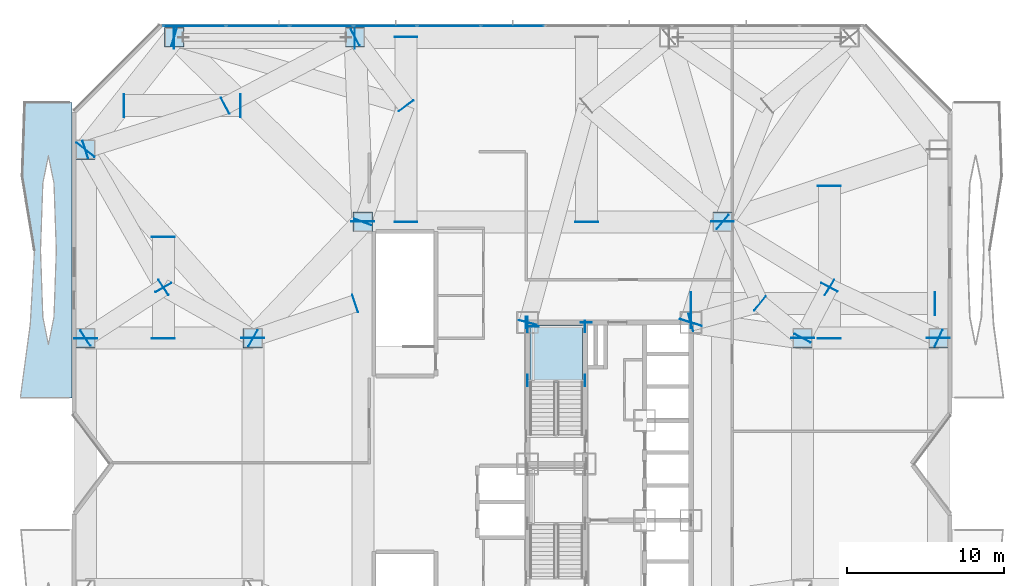
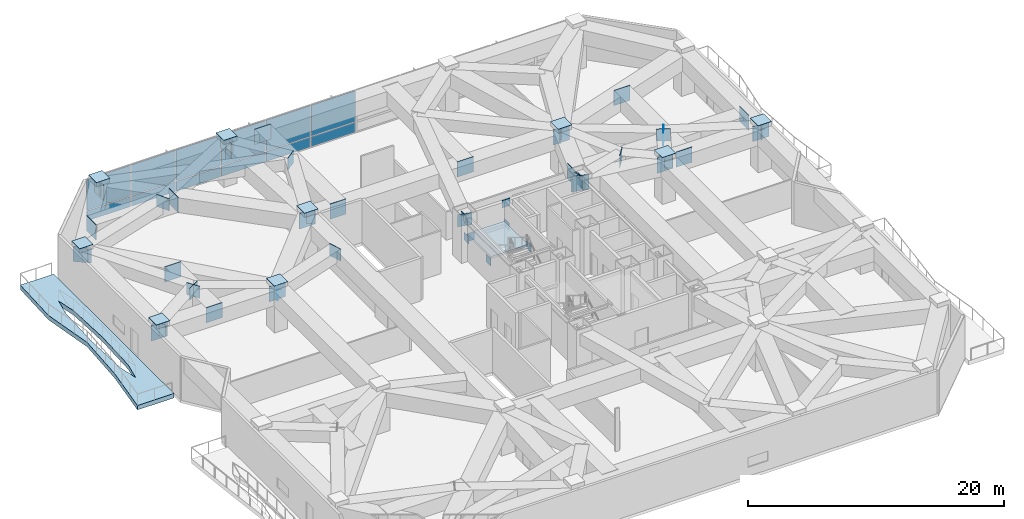
# One storey, part 16 of 27: 72 plates, 2 slabs, 2 elements without a shape of their own.
"""IFC4 building model written with IfcOpenShell, lengths in metres."""

import ifcopenshell
import ifcopenshell.guid

model = None  # the IFC model being written
_history = None  # IfcOwnerHistory: only IFC2X3 demands one
_inside = {}  # id of a spatial element -> (the spatial element, [elements in it])
_under = {}  # id of a project, library or spatial element -> (it, [spatial elements below it])
_declared = {}  # id of a project -> (the project, [libraries it declares])
_typed = {}  # id of a type object -> (the type object, [elements of that type])
_made_of = {}  # id of a material, layer set ... -> (it, [elements and type objects made of it])


def new_model(schema):
    """Start an empty IFC model of exactly this schema.

    Asked for "IFC4X3", IfcOpenShell would pick the latest addendum, in which some entities
    have other attributes; the version numbers below select the first issue.
    IFC2X3 requires an IfcOwnerHistory on every rooted entity: one is made here for all.
    """
    global model, _history
    if schema == "IFC4X3":
        model = ifcopenshell.file(schema_version=(4, 3, 0, 0))
    else:
        model = ifcopenshell.file(schema=schema)
    _inside.clear()
    _under.clear()
    _declared.clear()
    _typed.clear()
    _made_of.clear()
    _history = None
    if model.schema == "IFC2X3":
        org = make("IfcOrganization", Name="unknown")
        user = make(
            "IfcPersonAndOrganization",
            ThePerson=make("IfcPerson", FamilyName="unknown"),
            TheOrganization=org,
        )
        app = make(
            "IfcApplication",
            ApplicationDeveloper=org,
            Version="unknown",
            ApplicationFullName="unknown",
            ApplicationIdentifier="unknown",
        )
        _history = make(
            "IfcOwnerHistory",
            OwningUser=user,
            OwningApplication=app,
            ChangeAction="ADDED",
            CreationDate=0,
        )
    return model


def make(cls, **values):
    """One entity of the class cls with the attributes given. An attribute that is None is left unset."""
    return model.create_entity(
        cls, **{name: value for name, value in values.items() if value is not None}
    )


def rooted(cls, **values):
    """An entity with a GlobalId (a new one), such as an element, a storey or a relation."""
    return make(cls, GlobalId=ifcopenshell.guid.new(), OwnerHistory=_history, **values)


def si_unit(unit_type, name, prefix=None):
    """IfcSIUnit, for example si_unit("LENGTHUNIT", "METRE", prefix="MILLI")."""
    return make("IfcSIUnit", UnitType=unit_type, Prefix=prefix, Name=name)


def assignment(units):
    """IfcUnitAssignment: the units of a project."""
    return None if units is None else make("IfcUnitAssignment", Units=units)


def point(xyz):
    """IfcCartesianPoint."""
    return None if xyz is None else make("IfcCartesianPoint", Coordinates=xyz)


def direction(xyz):
    """IfcDirection."""
    return None if xyz is None else make("IfcDirection", DirectionRatios=xyz)


def frame(location, z_axis=None, x_axis=None):
    """IfcAxis2Placement3D, a coordinate frame: its origin and axes. An axis left out is left unset."""
    return make(
        "IfcAxis2Placement3D",
        Location=point(location),
        Axis=direction(z_axis),
        RefDirection=direction(x_axis),
    )


def frame_2d(location, x_axis=None):
    """IfcAxis2Placement2D, a coordinate frame in the plane: its origin and x axis."""
    return make(
        "IfcAxis2Placement2D", Location=point(location), RefDirection=direction(x_axis)
    )


def origin():
    """The frame at (0, 0, 0) with its axes left unset."""
    return frame((0.0, 0.0, 0.0))


def origin_2d():
    """The frame at (0, 0) in the plane with its x axis left unset."""
    return frame_2d((0.0, 0.0))


def place(relative_to, where):
    """IfcLocalPlacement: puts the frame where relative to a parent placement (None: the world)."""
    return make(
        "IfcLocalPlacement", PlacementRelTo=relative_to, RelativePlacement=where
    )


def context(
    kind, dimensions, precision=None, world=None, true_north=None, identifier=None
):
    """IfcGeometricRepresentationContext, for example the 3D "Model" context."""
    return make(
        "IfcGeometricRepresentationContext",
        ContextIdentifier=identifier,
        ContextType=kind,
        CoordinateSpaceDimension=dimensions,
        Precision=precision,
        WorldCoordinateSystem=world,
        TrueNorth=true_north,
    )


def subcontext(parent, identifier, kind, view, scale=None):
    """IfcGeometricRepresentationSubContext, for example "Body" below "Model"."""
    return make(
        "IfcGeometricRepresentationSubContext",
        ContextIdentifier=identifier,
        ContextType=kind,
        ParentContext=parent,
        TargetScale=scale,
        TargetView=view,
    )


def project(units=None, contexts=None):
    """IfcProject with its units and contexts."""
    return rooted(
        "IfcProject",
        Name="project",
        RepresentationContexts=contexts,
        UnitsInContext=assignment(units),
    )


def spatial(cls, under=None, at=None, **own):
    """A site, building, storey or space (cls), placed at a placement, below another one or the project."""
    s = rooted(cls, ObjectPlacement=at, **own)
    if under is not None:
        _under.setdefault(under.id(), (under, []))[1].append(s)
    return s


def polyline(points):
    """IfcPolyline through the points."""
    return make("IfcPolyline", Points=[point(p) for p in points])


def profile(cls, at=None, kind="AREA", **sizes):
    """A parametric profile (cls). Its sizes go by their IFC names, for example OverallWidth=200.0."""
    return make(cls, ProfileType=kind, Position=at, **sizes)


def rectangle(**sizes):
    """IfcRectangleProfileDef."""
    return profile("IfcRectangleProfileDef", **sizes)


def outline(outer, holes=None, kind="AREA"):
    """IfcArbitraryClosedProfileDef: a profile drawn as a closed curve; with holes, ...WithVoids."""
    if holes is None:
        return make("IfcArbitraryClosedProfileDef", ProfileType=kind, OuterCurve=outer)
    return make(
        "IfcArbitraryProfileDefWithVoids",
        ProfileType=kind,
        OuterCurve=outer,
        InnerCurves=holes,
    )


def extrude(swept, where, along, depth):
    """IfcExtrudedAreaSolid: the profile swept, set in the frame where, extruded along a direction by depth."""
    return make(
        "IfcExtrudedAreaSolid",
        SweptArea=swept,
        Position=where,
        ExtrudedDirection=direction(along),
        Depth=depth,
    )


def shape(context_of_items, identifier, shape_type, items):
    """IfcShapeRepresentation: the items that make up one representation, for example the "Body"."""
    return make(
        "IfcShapeRepresentation",
        ContextOfItems=context_of_items,
        RepresentationIdentifier=identifier,
        RepresentationType=shape_type,
        Items=items,
    )


def material(Name=None, Category=None):
    """IfcMaterial."""
    return make("IfcMaterial", Name=Name, Category=Category)


def layer(
    of_material, thickness, ventilated=None, Name=None, Category=None, Priority=None
):
    """IfcMaterialLayer: one layer of a wall or slab, of a material (None: an air gap)."""
    return make(
        "IfcMaterialLayer",
        Material=of_material,
        LayerThickness=thickness,
        IsVentilated=ventilated,
        Name=Name,
        Category=Category,
        Priority=Priority,
    )


def layer_set(layers, Name=None):
    """IfcMaterialLayerSet."""
    return make("IfcMaterialLayerSet", MaterialLayers=layers, LayerSetName=Name)


def made_of(thing, what):
    """Note that an element or type object is made of a material, layer set ...; save() writes the relation."""
    if what is not None:
        _made_of.setdefault(what.id(), (what, []))[1].append(thing)
    return thing


def type_object(cls, material=None, **own):
    """A type object (cls), such as IfcWallType, which elements share."""
    return made_of(rooted(cls, **own), material)


def element(
    cls,
    number,
    at=None,
    inside=None,
    cuts=None,
    type_object=None,
    material=None,
    context=None,
    identifier="Body",
    shape_type=None,
    held_by="IfcProductDefinitionShape",
    body=None,
    shapes=None,
    **own,
):
    """One element of the class cls, such as IfcWall. Its Tag is "e" and its number.

    at: its placement. inside: the storey or other place that contains it. cuts: it is an
    opening in that element (IfcRelVoidsElement). A single representation is given by context,
    identifier, shape_type and body (its items); several are given by shapes. held_by: the class
    of the entity that holds the representations. save() writes the other relations.
    """
    e = rooted(cls, Tag="e%d" % number, ObjectPlacement=at, **own)
    if body is not None:
        shapes = [shape(context, identifier, shape_type, body)]
    if shapes is not None:
        e.Representation = make(held_by, Representations=shapes)
    if inside is not None:
        _inside.setdefault(inside.id(), (inside, []))[1].append(e)
    if cuts is not None:
        rooted(
            "IfcRelVoidsElement", RelatingBuildingElement=cuts, RelatedOpeningElement=e
        )
    if type_object is not None:
        _typed.setdefault(type_object.id(), (type_object, []))[1].append(e)
    return made_of(e, material)


def aggregate(whole, parts):
    """IfcRelAggregates: a whole, such as a stair, and the parts it consists of."""
    return rooted("IfcRelAggregates", RelatingObject=whole, RelatedObjects=parts)


def save(model, path):
    """Write the relations noted so far, then the file.

    IfcRelAggregates (storeys below a building ...), IfcRelContainedInSpatialStructure (elements
    in a storey), IfcRelDefinesByType, IfcRelAssociatesMaterial and IfcRelDeclares: one each for
    every whole, place, type object, material and project.
    """
    for whole, parts in _under.values():
        aggregate(whole, parts)
    for where, things in _inside.values():
        rooted(
            "IfcRelContainedInSpatialStructure",
            RelatedElements=things,
            RelatingStructure=where,
        )
    for kind, things in _typed.values():
        rooted("IfcRelDefinesByType", RelatedObjects=things, RelatingType=kind)
    for what, things in _made_of.values():
        rooted("IfcRelAssociatesMaterial", RelatedObjects=things, RelatingMaterial=what)
    for by, libraries in _declared.values():
        rooted("IfcRelDeclares", RelatingContext=by, RelatedDefinitions=libraries)
    model.write(path)


model = new_model("IFC4")

# Units and contexts
model_context = context("Model", 3, precision=1e-05, world=origin(), true_north=direction((0.0, 1.0)))
body_context = subcontext(model_context, "Body", "Model", "MODEL_VIEW")
ifc_project = project(units=[si_unit("LENGTHUNIT", "METRE"), si_unit("AREAUNIT", "SQUARE_METRE"), si_unit("VOLUMEUNIT", "CUBIC_METRE"), si_unit("PLANEANGLEUNIT", "RADIAN"), si_unit("MASSUNIT", "GRAM", prefix="KILO")], contexts=[model_context])

# Site, building, storey
site_placement = place(None, origin())
site = spatial("IfcSite", under=ifc_project, at=site_placement, CompositionType="ELEMENT")
building_placement = place(site_placement, origin())
building = spatial("IfcBuilding", under=site, at=building_placement, Name="Khamvora Tower", CompositionType="ELEMENT")
storey_placement = place(building_placement, frame((0.0, 0.0, 28.800048828125)))
storey = spatial("IfcBuildingStorey", under=building, at=storey_placement, Name="L06", CompositionType="ELEMENT", Elevation=28.800048828125)

# Curtain wall, plates
ifc_material_1 = material(Name="Anodised Aluminium 6063-T6", Category="aluminium")
curtain_wall_type = type_object("IfcCurtainWallType", Name="CW-SYS-01", PredefinedType="NOTDEFINED", material=ifc_material_1)
curtain_wall_placement = place(storey_placement, origin())
curtain_wall = element("IfcCurtainWall", 1, at=curtain_wall_placement, inside=storey, type_object=curtain_wall_type, Name="L06 stick curtain wall 07.1", PredefinedType="NOTDEFINED")
ifc_material_2 = material(Name="Low-E Laminated Double Glazing", Category="glass")
ifc_layer_1 = layer(ifc_material_2, 0.035888671875)
ifc_layer_set_1 = layer_set([ifc_layer_1], Name="Low-E Laminated Double Glazing")
plate_type_1 = type_object("IfcPlateType", Name="CW-SYS-01-PNL", PredefinedType="CURTAIN_PANEL", material=ifc_layer_set_1)
plate_1_placement = place(storey_placement, frame((7.774169921875, 55.8798828125, 0.074951171875), z_axis=(0.0, 0.0, 1.0), x_axis=(1.0, 0.0, 0.0)))
plate_1 = element("IfcPlate", 2, at=plate_1_placement, type_object=plate_type_1, Name="CW-01 panel 1.1", PredefinedType="CURTAIN_PANEL", context=body_context, shape_type="SweptSolid", body=[
    extrude(rectangle(XDim=3.944091796875, YDim=0.035888671875, at=origin_2d()), origin(), (0.0, 0.0, 1.0), 0.9375),
])
plate_2_placement = place(storey_placement, frame((7.774169921875, 55.8798828125, 1.08740234375), z_axis=(0.0, 0.0, 1.0), x_axis=(1.0, 0.0, 0.0)))
plate_2 = element("IfcPlate", 3, at=plate_2_placement, type_object=plate_type_1, Name="CW-01 panel 1.2", PredefinedType="CURTAIN_PANEL", context=body_context, shape_type="SweptSolid", body=[
    extrude(rectangle(XDim=3.944091796875, YDim=0.035888671875, at=origin_2d()), origin(), (0.0, 0.0, 1.0), 2.91748046875),
])
plate_3_placement = place(storey_placement, frame((11.81201171875, 55.8798828125, 0.074951171875), z_axis=(0.0, 0.0, 1.0), x_axis=(1.0, 0.0, 0.0)))
plate_3 = element("IfcPlate", 4, at=plate_3_placement, type_object=plate_type_1, Name="CW-01 panel 2.1", PredefinedType="CURTAIN_PANEL", context=body_context, shape_type="SweptSolid", body=[
    extrude(rectangle(XDim=3.981689453125, YDim=0.035888671875, at=origin_2d()), origin(), (0.0, 0.0, 1.0), 0.9375),
])
plate_4_placement = place(storey_placement, frame((11.81201171875, 55.8798828125, 1.08740234375), z_axis=(0.0, 0.0, 1.0), x_axis=(1.0, 0.0, 0.0)))
plate_4 = element("IfcPlate", 5, at=plate_4_placement, type_object=plate_type_1, Name="CW-01 panel 2.2", PredefinedType="CURTAIN_PANEL", context=body_context, shape_type="SweptSolid", body=[
    extrude(rectangle(XDim=3.981689453125, YDim=0.035888671875, at=origin_2d()), origin(), (0.0, 0.0, 1.0), 2.91748046875),
])
plate_5_placement = place(storey_placement, frame((15.86865234375, 55.8798828125, 0.074951171875), z_axis=(0.0, 0.0, 1.0), x_axis=(1.0, 0.0, 0.0)))
plate_5 = element("IfcPlate", 6, at=plate_5_placement, type_object=plate_type_1, Name="CW-01 panel 3.1", PredefinedType="CURTAIN_PANEL", context=body_context, shape_type="SweptSolid", body=[
    extrude(rectangle(XDim=3.981689453125, YDim=0.035888671875, at=origin_2d()), origin(), (0.0, 0.0, 1.0), 0.9375),
])
plate_6_placement = place(storey_placement, frame((15.86865234375, 55.8798828125, 1.08740234375), z_axis=(0.0, 0.0, 1.0), x_axis=(1.0, 0.0, 0.0)))
plate_6 = element("IfcPlate", 7, at=plate_6_placement, type_object=plate_type_1, Name="CW-01 panel 3.2", PredefinedType="CURTAIN_PANEL", context=body_context, shape_type="SweptSolid", body=[
    extrude(rectangle(XDim=3.981689453125, YDim=0.035888671875, at=origin_2d()), origin(), (0.0, 0.0, 1.0), 2.91748046875),
])
plate_7_placement = place(storey_placement, frame((19.92529296875, 55.8798828125, 0.074951171875), z_axis=(0.0, 0.0, 1.0), x_axis=(1.0, 0.0, 0.0)))
plate_7 = element("IfcPlate", 8, at=plate_7_placement, type_object=plate_type_1, Name="CW-01 panel 4.1", PredefinedType="CURTAIN_PANEL", context=body_context, shape_type="SweptSolid", body=[
    extrude(rectangle(XDim=3.981689453125, YDim=0.035888671875, at=origin_2d()), origin(), (0.0, 0.0, 1.0), 0.9375),
])
plate_8_placement = place(storey_placement, frame((19.92529296875, 55.8798828125, 1.08740234375), z_axis=(0.0, 0.0, 1.0), x_axis=(1.0, 0.0, 0.0)))
plate_8 = element("IfcPlate", 9, at=plate_8_placement, type_object=plate_type_1, Name="CW-01 panel 4.2", PredefinedType="CURTAIN_PANEL", context=body_context, shape_type="SweptSolid", body=[
    extrude(rectangle(XDim=3.981689453125, YDim=0.035888671875, at=origin_2d()), origin(), (0.0, 0.0, 1.0), 2.91748046875),
])
plate_9_placement = place(storey_placement, frame((23.98193359375, 55.8798828125, 0.074951171875), z_axis=(0.0, 0.0, 1.0), x_axis=(1.0, 0.0, 0.0)))
plate_9 = element("IfcPlate", 10, at=plate_9_placement, type_object=plate_type_1, Name="CW-01 panel 5.1", PredefinedType="CURTAIN_PANEL", context=body_context, shape_type="SweptSolid", body=[
    extrude(rectangle(XDim=3.981689453125, YDim=0.035888671875, at=origin_2d()), origin(), (0.0, 0.0, 1.0), 0.9375),
])
plate_10_placement = place(storey_placement, frame((23.98193359375, 55.8798828125, 1.08740234375), z_axis=(0.0, 0.0, 1.0), x_axis=(1.0, 0.0, 0.0)))
plate_10 = element("IfcPlate", 11, at=plate_10_placement, type_object=plate_type_1, Name="CW-01 panel 5.2", PredefinedType="CURTAIN_PANEL", context=body_context, shape_type="SweptSolid", body=[
    extrude(rectangle(XDim=3.981689453125, YDim=0.035888671875, at=origin_2d()), origin(), (0.0, 0.0, 1.0), 2.91748046875),
])
plate_11_placement = place(storey_placement, frame((28.03857421875, 55.8798828125, 0.074951171875), z_axis=(0.0, 0.0, 1.0), x_axis=(1.0, 0.0, 0.0)))
plate_11 = element("IfcPlate", 12, at=plate_11_placement, type_object=plate_type_1, Name="CW-01 panel 6.1", PredefinedType="CURTAIN_PANEL", context=body_context, shape_type="SweptSolid", body=[
    extrude(rectangle(XDim=3.981689453125, YDim=0.035888671875, at=origin_2d()), origin(), (0.0, 0.0, 1.0), 0.9375),
])
plate_12_placement = place(storey_placement, frame((28.03857421875, 55.8798828125, 1.08740234375), z_axis=(0.0, 0.0, 1.0), x_axis=(1.0, 0.0, 0.0)))
plate_12 = element("IfcPlate", 13, at=plate_12_placement, type_object=plate_type_1, Name="CW-01 panel 6.2", PredefinedType="CURTAIN_PANEL", context=body_context, shape_type="SweptSolid", body=[
    extrude(rectangle(XDim=3.981689453125, YDim=0.035888671875, at=origin_2d()), origin(), (0.0, 0.0, 1.0), 2.91748046875),
])
aggregate(curtain_wall, [plate_1, plate_2, plate_3, plate_4, plate_5, plate_6, plate_7, plate_8, plate_9, plate_10, plate_11, plate_12])

# Plates
ifc_material_3 = material(Name="Steel S355", Category="steel")
ifc_layer_2 = layer(ifc_material_3, 0.02490234375)
ifc_layer_set_2 = layer_set([ifc_layer_2], Name="Steel S355")
plate_type_2 = type_object("IfcPlateType", Name="PL-CAP-25", PredefinedType="SHEET", material=ifc_layer_set_2)
for number, where, z_axis, x_axis, name in (
    (14, (6.5, 55.14990234375, 4.474609375), (0.0, 0.0, 1.0), (1.0, 0.0, 0.0), "L06 hollow section steel end cap plate 0059"),
    (15, (18.0, 55.14990234375, 4.474609375), (0.0, 0.0, 1.0), (1.0, 0.0, 0.0), "L06 hollow section steel end cap plate 0060"),
    (16, (0.85009765625, 36.0, 4.474609375), (0.0, 0.0, 1.0), (1.0, 0.0, 0.0), "L06 hollow section steel end cap plate 0065"),
    (17, (0.85009765625, 48.0, 4.474609375), (0.0, 0.0, 1.0), (1.0, 0.0, 0.0), "L06 hollow section steel end cap plate 0066"),
    (18, (55.14990234375, 36.0, 4.474609375), (0.0, 0.0, 1.0), (1.0, 0.0, 0.0), "L06 hollow section steel end cap plate 0069"),
    (19, (18.5, 43.39990234375, 4.474609375), (0.0, 0.0, 1.0), (1.0, 0.0, 0.0), "L06 hollow section steel end cap plate 0073"),
    (20, (41.39990234375, 43.39990234375, 4.474609375), (0.0, 0.0, 1.0), (1.0, 0.0, 0.0), "L06 hollow section steel end cap plate 0074"),
    (21, (11.5, 36.0, 4.474609375), (0.0, 0.0, 1.0), (1.0, 0.0, 0.0), "L06 hollow section steel end cap plate 0076"),
    (22, (46.5, 36.0, 4.474609375), (0.0, 0.0, 1.0), (1.0, 0.0, 0.0), "L06 hollow section steel end cap plate 0078"),
):
    element("IfcPlate", number, at=place(storey_placement, frame(where, z_axis=z_axis, x_axis=x_axis)), inside=storey, type_object=plate_type_2, Name=name, PredefinedType="SHEET", context=body_context, shape_type="SweptSolid", body=[
        extrude(rectangle(XDim=1.22998046875, YDim=1.22998046875, at=origin_2d()), origin(), (0.0, 0.0, 1.0), 0.02490234375),
    ])
for number, where, z_axis, x_axis, name in (
    (23, (55.14990234375, 36.012939453125, 2.64990234375), (0.0, 0.0, 1.0), (0.0, 1.0, 0.0), "L06 hollow section steel end cap plate 0468"),
    (24, (17.988037109375, 55.14990234375, 2.64990234375), (0.0, 0.0, 1.0), (-1.0, 0.0, 0.0), "L06 hollow section steel end cap plate 0472"),
    (25, (6.487060546875, 55.14990234375, 2.64990234375), (0.0, 0.0, 1.0), (-1.0, 0.0, 0.0), "L06 hollow section steel end cap plate 0473"),
    (26, (0.842041015625, 47.989990234375, 2.64990234375), (0.0, 0.0, 1.0), (-0.619998158531, -0.78460326498, 0.0), "L06 hollow section steel end cap plate 0474"),
    (27, (0.85009765625, 35.987060546875, 2.64990234375), (0.0, 0.0, 1.0), (0.0, -1.0, 0.0), "L06 hollow section steel end cap plate 0475"),
    (28, (18.5, 43.4130859375, 2.64990234375), (0.0, 0.0, 1.0), (0.0, 1.0, 0.0), "L06 hollow section steel end cap plate 0477"),
    (29, (41.39990234375, 43.4130859375, 2.64990234375), (0.0, 0.0, 1.0), (0.0, 1.0, 0.0), "L06 hollow section steel end cap plate 0479"),
    (30, (11.5, 36.012939453125, 2.64990234375), (0.0, 0.0, 1.0), (0.0, 1.0, 0.0), "L06 hollow section steel end cap plate 0481"),
    (31, (46.5, 36.012939453125, 2.64990234375), (0.0, 0.0, 1.0), (0.0, 1.0, 0.0), "L06 hollow section steel end cap plate 0483"),
    (32, (39.39599609375, 36.988037109375, 2.64990234375), (0.0, 0.0, 1.0), (0.298274582725, 0.954480106288, 0.0), "L06 hollow section steel end cap plate 0485"),
    (33, (3.2900390625, 50.800048828125, 2.64990234375), (0.0, 0.0, 1.0), (1.0, 0.0, 0.0), "L06 hollow section steel end cap plate 0492"),
    (34, (10.715087890625, 50.800048828125, 2.64990234375), (0.0, 0.0, 1.0), (1.0, 0.0, 0.0), "L06 hollow section steel end cap plate 0493"),
    (35, (21.25, 43.386962890625, 2.64990234375), (0.0, 0.0, 1.0), (0.0, 1.0, 0.0), "L06 hollow section steel end cap plate 0494"),
    (36, (21.25, 55.1630859375, 2.64990234375), (0.0, 0.0, 1.0), (0.0, 1.0, 0.0), "L06 hollow section steel end cap plate 0495"),
    (37, (32.75, 43.386962890625, 2.64990234375), (0.0, 0.0, 1.0), (0.0, 1.0, 0.0), "L06 hollow section steel end cap plate 0496"),
    (38, (5.800048828125, 35.987060546875, 2.64990234375), (0.0, 0.0, 1.0), (0.0, 1.0, 0.0), "L06 hollow section steel end cap plate 0500"),
    (39, (5.800048828125, 42.43603515625, 2.64990234375), (0.0, 0.0, 1.0), (0.0, 1.0, 0.0), "L06 hollow section steel end cap plate 0501"),
    (40, (48.199951171875, 35.987060546875, 2.64990234375), (0.0, 0.0, 1.0), (0.0, 1.0, 0.0), "L06 hollow section steel end cap plate 0504"),
    (41, (48.199951171875, 45.68798828125, 2.64990234375), (0.0, 0.0, 1.0), (0.0, 1.0, 0.0), "L06 hollow section steel end cap plate 0505"),
    (42, (39.386962890625, 38.199951171875, 2.64990234375), (0.0, 0.0, 1.0), (1.0, 0.0, 0.0), "L06 hollow section steel end cap plate 0508"),
    (43, (54.922119140625, 38.199951171875, 2.64990234375), (0.0, 0.0, 1.0), (1.0, 0.0, 0.0), "L06 hollow section steel end cap plate 0509"),
):
    element("IfcPlate", number, at=place(storey_placement, frame(where, z_axis=z_axis, x_axis=x_axis)), inside=storey, type_object=plate_type_2, Name=name, PredefinedType="SHEET", context=body_context, shape_type="SweptSolid", body=[
        extrude(rectangle(XDim=0.02490234375, YDim=1.4599609375, at=origin_2d()), origin(), (0.0, 0.0, 1.0), 1.4599609375),
    ])
for number, where, z_axis, x_axis, name in (
    (44, (18.010986328125, 55.156005859375, 2.9501953125), (0.0, 0.0, 1.0), (-0.884572835098, -0.466402079119, 0.0), "L06 hollow section steel end cap plate 0522"),
    (45, (9.739013671875, 50.7939453125, 2.9501953125), (0.0, 0.0, 1.0), (-0.884572835098, -0.466402079119, 0.0), "L06 hollow section steel end cap plate 0523"),
    (46, (0.837890625, 47.99609375, 2.9501953125), (0.0, 0.0, 1.0), (0.953905701506, 0.300106502154, 0.0), "L06 hollow section steel end cap plate 0524"),
    (47, (21.257080078125, 50.7900390625, 2.9501953125), (0.0, 0.0, 1.0), (0.598520365948, -0.801107590493, 0.0), "L06 hollow section steel end cap plate 0525"),
    (48, (18.49609375, 43.387939453125, 2.9501953125), (0.0, 0.0, 1.0), (0.348343015724, 0.93736713373, 0.0), "L06 hollow section steel end cap plate 0526"),
    (49, (6.488037109375, 55.154052734375, 2.9501953125), (0.0, 0.0, 1.0), (0.959156135713, -0.282877194777, 0.0), "L06 hollow section steel end cap plate 0527"),
    (50, (41.408935546875, 43.39208984375, 2.9501953125), (0.0, 0.0, 1.0), (-0.759872964503, 0.650071594378, 0.0), "L06 hollow section steel end cap plate 0530"),
    (51, (28.9970703125, 36.988037109375, 2.9501953125), (0.0, 0.0, 1.0), (0.262222863911, 0.965007341756, 0.0), "L06 hollow section steel end cap plate 0531"),
    (52, (0.840087890625, 35.992919921875, 2.9501953125), (0.0, 0.0, 1.0), (0.83786165707, 0.545882628055, 0.0), "L06 hollow section steel end cap plate 0538"),
    (53, (5.81005859375, 39.23193359375, 2.9501953125), (0.0, 0.0, 1.0), (0.83786165707, 0.545882628055, 0.0), "L06 hollow section steel end cap plate 0539"),
    (54, (11.510986328125, 35.993896484375, 2.9501953125), (0.0, 0.0, 1.0), (-0.870347101395, 0.492438750601, 0.0), "L06 hollow section steel end cap plate 0540"),
    (55, (5.805908203125, 39.214111328125, 2.9501953125), (0.0, 0.0, 1.0), (0.49131424893, -0.870982381451, 0.0), "L06 hollow section steel end cap plate 0541"),
    (56, (46.493896484375, 35.989013671875, 2.9501953125), (0.0, 0.0, 1.0), (0.466309444312, 0.884621671759, 0.0), "L06 hollow section steel end cap plate 0546"),
    (57, (48.2060546875, 39.236083984375, 2.9501953125), (0.0, 0.0, 1.0), (0.466309444312, 0.884621671759, 0.0), "L06 hollow section steel end cap plate 0547"),
    (58, (55.160888671875, 35.9951171875, 2.9501953125), (0.0, 0.0, 1.0), (-0.90709544675, 0.420924993894, 0.0), "L06 hollow section steel end cap plate 0548"),
    (59, (48.2109375, 39.218017578125, 2.9501953125), (0.0, 0.0, 1.0), (0.85219300591, -0.523227561085, 0.0), "L06 hollow section steel end cap plate 0549"),
    (60, (18.011962890625, 38.2041015625, 2.9501953125), (0.0, 0.0, 1.0), (0.947215873354, 0.320596458599, 0.0), "L06 hollow section steel end cap plate 0551"),
    (61, (43.7900390625, 38.2080078125, 2.9501953125), (0.0, 0.0, 1.0), (-0.775231214705, 0.631677578949, 0.0), "L06 hollow section steel end cap plate 0554"),
    (62, (39.387939453125, 36.9970703125, 2.9501953125), (0.0, 0.0, 1.0), (0.964764366352, 0.263115407033, 0.0), "L06 hollow section steel end cap plate 0555"),
):
    element("IfcPlate", number, at=place(storey_placement, frame(where, z_axis=z_axis, x_axis=x_axis)), inside=storey, type_object=plate_type_2, Name=name, PredefinedType="SHEET", context=body_context, shape_type="SweptSolid", body=[
        extrude(rectangle(XDim=0.02490234375, YDim=1.159912109375, at=origin_2d()), origin(), (0.0, 0.0, 1.0), 1.159912109375),
    ])
ifc_material_4 = material(Name="Steel S460", Category="steel")
ifc_layer_3 = layer(ifc_material_4, 0.034912109375)
ifc_layer_set_3 = layer_set([ifc_layer_3], Name="Steel S460")
plate_type_3 = type_object("IfcPlateType", Name="PL-EMB-35", PredefinedType="SHEET", material=ifc_layer_set_3)
for number, where, z_axis, x_axis, name in (
    (63, (29.0, 33.294921875, 1.55908203125), (0.0, 0.0, 1.0), (1.0, 0.0, 0.0), "L06 core shear wall cast-in embed plate 0203"),
    (64, (32.64990234375, 33.294921875, 1.55908203125), (0.0, 0.0, 1.0), (1.0, 0.0, 0.0), "L06 core shear wall cast-in embed plate 0204"),
    (65, (29.0, 36.72998046875, 1.55908203125), (0.0, 0.0, 1.0), (1.0, 0.0, 0.0), "L06 core shear wall cast-in embed plate 0205"),
    (66, (32.64990234375, 36.72998046875, 1.55908203125), (0.0, 0.0, 1.0), (1.0, 0.0, 0.0), "L06 core shear wall cast-in embed plate 0206"),
):
    element("IfcPlate", number, at=place(storey_placement, frame(where, z_axis=z_axis, x_axis=x_axis)), inside=storey, type_object=plate_type_3, Name=name, PredefinedType="SHEET", context=body_context, shape_type="SweptSolid", body=[
        extrude(rectangle(XDim=0.034912109375, YDim=0.719970703125, at=origin_2d()), origin(), (0.0, 0.0, 1.0), 0.719970703125),
    ])
plate_13_placement = place(storey_placement, frame((29.35009765625, 36.72998046875, 1.55908203125), z_axis=(0.0, 0.0, 1.0), x_axis=(1.0, 0.0, 0.0)))
element("IfcPlate", 67, at=plate_13_placement, inside=storey, type_object=plate_type_3, Name="L06 core shear wall cast-in embed plate 0207", PredefinedType="SHEET", context=body_context, shape_type="SweptSolid", body=[
    extrude(rectangle(XDim=0.719970703125, YDim=0.034912109375, at=origin_2d()), origin(), (0.0, 0.0, 1.0), 0.719970703125),
])
for number, where, z_axis, x_axis, name in (
    (68, (39.39990234375, 37.0, 3.02001953125), (0.0, 0.0, 1.0), (1.0, 0.0, 0.0), "L06 core shear wall cast-in embed plate 0209"),
    (69, (28.89990234375, 37.0, 3.4541015625), (0.0, 0.0, 1.0), (1.0, 0.0, 0.0), "L06 core shear wall cast-in embed plate 0212"),
):
    element("IfcPlate", number, at=place(storey_placement, frame(where, z_axis=z_axis, x_axis=x_axis)), inside=storey, type_object=plate_type_3, Name=name, PredefinedType="SHEET", context=body_context, shape_type="SweptSolid", body=[
        extrude(rectangle(XDim=0.034912109375, YDim=0.719970703125, at=origin_2d()), origin(), (0.0, 0.0, 1.0), 0.719970703125),
    ])
plate_14_placement = place(storey_placement, frame((32.72998046875, 37.0, 3.4541015625), z_axis=(0.0, 0.0, 1.0), x_axis=(1.0, 0.0, 0.0)))
element("IfcPlate", 70, at=plate_14_placement, inside=storey, type_object=plate_type_3, Name="L06 core shear wall cast-in embed plate 0215", PredefinedType="SHEET", context=body_context, shape_type="SweptSolid", body=[
    extrude(rectangle(XDim=0.719970703125, YDim=0.034912109375, at=origin_2d()), origin(), (0.0, 0.0, 1.0), 0.719970703125),
])
for number, where, z_axis, x_axis, name in (
    (71, (39.39990234375, 37.0, 3.4541015625), (0.0, 0.0, 1.0), (1.0, 0.0, 0.0), "L06 core shear wall cast-in embed plate 0218"),
    (72, (29.0, 37.0, 3.169921875), (0.0, 0.0, 1.0), (1.0, 0.0, 0.0), "L06 core shear wall cast-in embed plate 0224"),
    (73, (39.39990234375, 37.0, 3.169921875), (0.0, 0.0, 1.0), (1.0, 0.0, 0.0), "L06 core shear wall cast-in embed plate 0226"),
):
    element("IfcPlate", number, at=place(storey_placement, frame(where, z_axis=z_axis, x_axis=x_axis)), inside=storey, type_object=plate_type_3, Name=name, PredefinedType="SHEET", context=body_context, shape_type="SweptSolid", body=[
        extrude(rectangle(XDim=0.034912109375, YDim=0.719970703125, at=origin_2d()), origin(), (0.0, 0.0, 1.0), 0.719970703125),
    ])

# Slab
ifc_material_5 = material(Name="Concrete C40/50", Category="concrete")
ifc_layer_4 = layer(ifc_material_5, 0.419921875)
ifc_layer_set_4 = layer_set([ifc_layer_4], Name="Concrete C40/50")
slab_type_1 = type_object("IfcSlabType", Name="SLB-GRD-420", PredefinedType="FLOOR", material=ifc_layer_set_4)
slab_1_placement = place(storey_placement, frame((0.0, 0.0, -0.420166015625)))
element("IfcSlab", 74, at=slab_1_placement, inside=storey, type_object=slab_type_1, Name="L06 external lens gallery slab WL2", PredefinedType="FLOOR", context=body_context, shape_type="SweptSolid", body=[
    extrude(outline(polyline([(0.0, 32.199951171875), (0.0, 51.0), (-3.02099609375, 51.0), (-3.179931640625, 46.300048828125), (-2.404052734375, 41.60009765625), (-2.6669921875, 36.89990234375), (-3.300048828125, 32.199951171875), (0.0, 32.199951171875)]), holes=[polyline([(-1.010986328125, 41.60009765625), (-1.158935546875, 45.85400390625), (-1.514892578125, 47.615966796875), (-1.87109375, 45.85400390625), (-2.01904296875, 41.60009765625), (-1.87109375, 37.345947265625), (-1.514892578125, 35.583984375), (-1.158935546875, 37.345947265625), (-1.010986328125, 41.60009765625)])]), origin(), (0.0, 0.0, 1.0), 0.420166015625),
])

# Stair, slab
stair_type = type_object("IfcStairType", Name="STR-ST-02", PredefinedType="HALF_TURN_STAIR", material=ifc_material_5)
stair_placement = place(storey_placement, origin())
stair = element("IfcStair", 75, at=stair_placement, inside=storey, type_object=stair_type, Name="L06 North Tower Exit Stair ST-02", PredefinedType="HALF_TURN_STAIR")
ifc_layer_5 = layer(ifc_material_5, 0.199951171875)
ifc_layer_set_5 = layer_set([ifc_layer_5], Name="Concrete C40/50")
slab_type_2 = type_object("IfcSlabType", Name="SLB-LND-200", PredefinedType="LANDING", material=ifc_layer_set_5)
slab_2_placement = place(storey_placement, frame((0.0, 0.0, 2.050048828125)))
slab_2 = element("IfcSlab", 76, at=slab_2_placement, type_object=slab_type_2, Name="ST-02 landing 1", PredefinedType="LANDING", context=body_context, shape_type="SweptSolid", body=[
    extrude(outline(polyline([(32.5, 33.175048828125), (32.5, 36.85009765625), (29.14990234375, 36.85009765625), (29.14990234375, 33.175048828125), (32.5, 33.175048828125)])), origin(), (0.0, 0.0, 1.0), 0.199951171875),
])
aggregate(stair, [slab_2])

save(model, "model.ifc")
